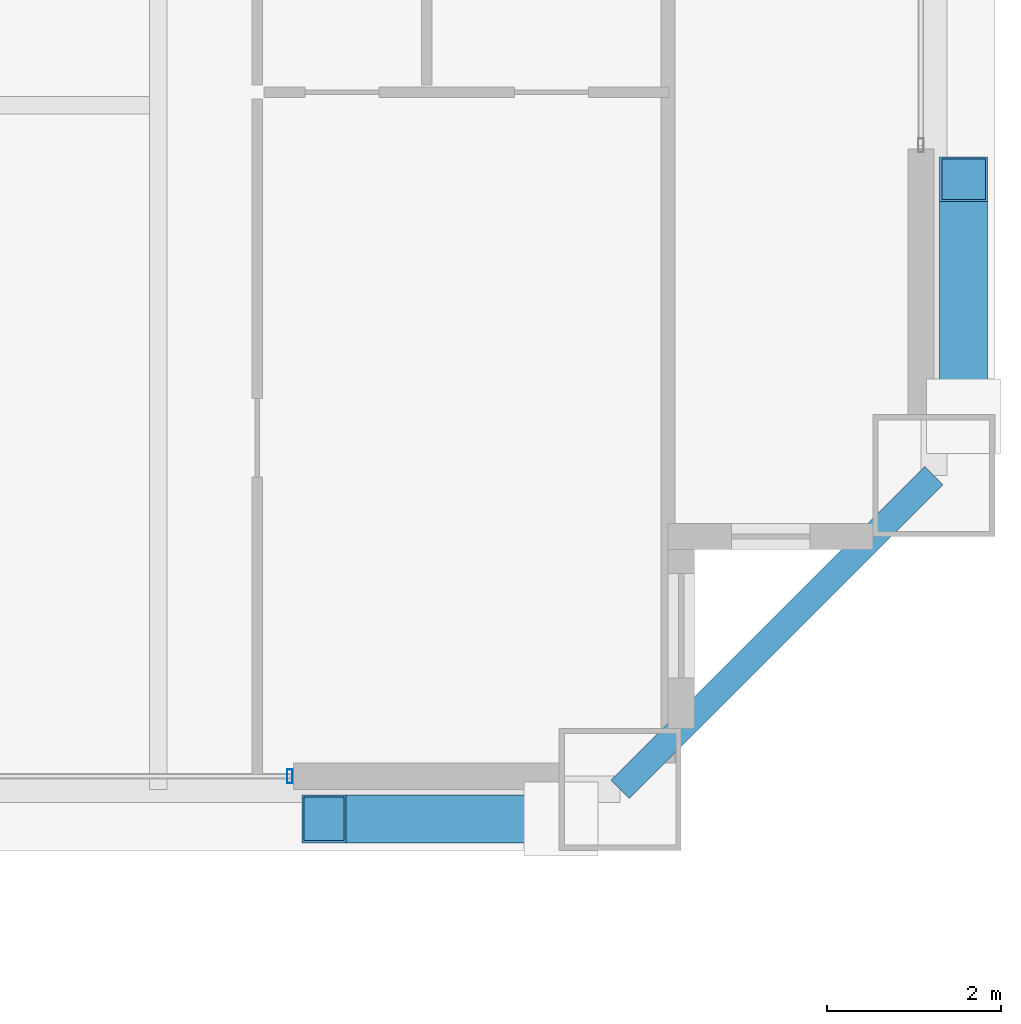
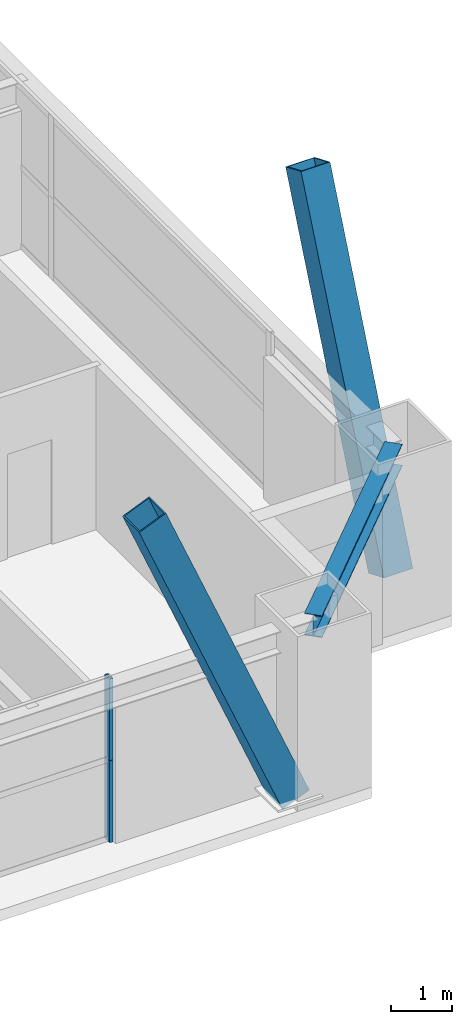
# One storey, part 20 of 45: 4 members, 1 beam, 1 element without a shape of its own.
"""IFC4 building model written with IfcOpenShell, lengths in metres."""

from ifc_helpers import new_model, si_unit, direction, frame, origin, origin_2d, place, context, subcontext, project, spatial, hollow_rectangle, i_section, extrude, source, transform, mapped, material, layer, layer_set, material_profile, profile_set, type_object, element, aggregate, save


model = new_model("IFC4")

# Units and contexts
model_context = context("Model", 3, precision=1e-05, world=origin(), true_north=direction((0.0, 1.0)))
body_context = subcontext(model_context, "Body", "Model", "MODEL_VIEW")
ifc_project = project(units=[si_unit("LENGTHUNIT", "METRE"), si_unit("AREAUNIT", "SQUARE_METRE"), si_unit("VOLUMEUNIT", "CUBIC_METRE"), si_unit("PLANEANGLEUNIT", "RADIAN"), si_unit("MASSUNIT", "GRAM", prefix="KILO"), si_unit("THERMODYNAMICTEMPERATUREUNIT", "KELVIN"), si_unit("POWERUNIT", "WATT")], contexts=[model_context])

# Site, building, storey
site_placement = place(None, origin())
site = spatial("IfcSite", under=ifc_project, at=site_placement, CompositionType="ELEMENT")
building_placement = place(site_placement, origin())
building = spatial("IfcBuilding", under=site, at=building_placement, Name="Yuzanri Waterfront Tower", CompositionType="ELEMENT")
storey_placement = place(building_placement, frame((0.0, 0.0, 198.5)))
storey = spatial("IfcBuildingStorey", under=building, at=storey_placement, Name="L52", CompositionType="ELEMENT", Elevation=198.5)

# Beam
ifc_material_1 = material(Name="Steel Q355B", Category="steel")
ifc_material_profile_1 = material_profile(ifc_material_1, i_section(OverallWidth=0.300048828125, OverallDepth=0.43994140625, WebThickness=0.010986328125, FlangeThickness=0.01806640625, at=origin_2d()), Name="HM 440x300x11x18")
ifc_profile_set_1 = profile_set([ifc_material_profile_1], Name="Steel Q355B")
beam_type = type_object("IfcBeamType", Name="Perimeter Spandrel Q355B HM 440x300", PredefinedType="SPANDREL", material=ifc_profile_set_1)
shared_shape_1 = source(origin(), body_context, "Body", "SweptSolid", [
    extrude(i_section(OverallWidth=0.300048828125, OverallDepth=0.43994140625, WebThickness=0.010986328125, FlangeThickness=0.01806640625, at=origin_2d()), origin(), (0.0, 0.0, 1.0), 5.09130859375),
])
beam_placement = place(storey_placement, frame((55.5, 3.699951171875, 3.06005859375), z_axis=(0.707106781187, 0.707106781187, 0.0), x_axis=(-0.707106781187, 0.707106781187, 0.0)))
element("IfcBeam", 1, at=beam_placement, inside=storey, type_object=beam_type, Name="L52 Perimeter Spandrel S3-E1", PredefinedType="SPANDREL", context=body_context, shape_type="MappedRepresentation", body=[
    mapped(shared_shape_1, transform((0.0, 0.0, 0.0), scale=1.0)),
])

# Members
ifc_material_2 = material(Name="Steel Q390GJC", Category="steel")
ifc_material_profile_2 = material_profile(ifc_material_2, hollow_rectangle(XDim=0.550048828125, YDim=0.550048828125, WallThickness=0.02490234375, at=origin_2d()), Name="RHS 550x550x25")
ifc_profile_set_2 = profile_set([ifc_material_profile_2], Name="Steel Q390GJC")
member_type_1 = type_object("IfcMemberType", Name="Mega Brace Mid Q390GJC RHS 550x550x25", PredefinedType="BRACE", material=ifc_profile_set_2)
shared_shape_2 = source(origin(), body_context, "Body", "SweptSolid", [
    extrude(hollow_rectangle(XDim=0.550048828125, YDim=0.550048828125, WallThickness=0.02490234375, at=origin_2d()), origin(), (0.0, 0.0, 1.0), 7.046142578125),
])
for number, where, z_axis, x_axis, name in (
    (2, (54.820068359375, 3.360107421875, 0.179931640625), (-0.386022211732, 0.0, 0.922489486146), (0.0, -1.0, 0.0), "L52-L53 Perimeter Mega-Brace S-R"),
    (3, (59.43994140625, 7.97998046875, 0.179931640625), (0.0, 0.386022211732, 0.922489486146), (-1.0, 0.0, 0.0), "L52-L53 Perimeter Mega-Brace E-L"),
):
    element("IfcMember", number, at=place(storey_placement, frame(where, z_axis=z_axis, x_axis=x_axis)), inside=storey, type_object=member_type_1, Name=name, PredefinedType="BRACE", context=body_context, shape_type="MappedRepresentation", body=[
        mapped(shared_shape_2, transform((0.0, 0.0, 0.0), scale=1.0)),
    ])

# Curtain wall, members
ifc_material_3 = material(Name="Anodized Architectural Bronze", Category="metal")
ifc_layer = layer(ifc_material_3, 0.159912109375)
ifc_layer_set = layer_set([ifc_layer], Name="Anodized Architectural Bronze")
curtain_wall_type = type_object("IfcCurtainWallType", Name="Anodized Bronze Mid-Rise Residential Acoustic Unitized Curtain Wall 7200", PredefinedType="NOTDEFINED", material=ifc_layer_set)
curtain_wall_placement = place(storey_placement, origin())
curtain_wall = element("IfcCurtainWall", 4, at=curtain_wall_placement, inside=storey, type_object=curtain_wall_type, Name="L52 Curtain Wall CW-L52-SR2", PredefinedType="NOTDEFINED")
ifc_material_4 = material(Name="Anodized Architectural Bronze", Category="metal")
ifc_material_profile_3 = material_profile(ifc_material_4, hollow_rectangle(XDim=0.06494140625, YDim=0.159912109375, WallThickness=0.00341796875, at=origin_2d()), Name="CWM 65x160")
ifc_profile_set_3 = profile_set([ifc_material_profile_3], Name="Anodized Architectural Bronze")
member_type_2 = type_object("IfcMemberType", Name="Anodized Bronze Upper-Zone Curtain-Wall Mullion 65x160", PredefinedType="MULLION", material=ifc_profile_set_3)
shared_shape_3 = source(origin(), body_context, "Body", "SweptSolid", [
    extrude(hollow_rectangle(XDim=0.06494140625, YDim=0.159912109375, WallThickness=0.00341796875, at=origin_2d()), origin(), (0.0, 0.0, 1.0), 1.637939453125),
])
member_1_placement = place(storey_placement, frame((51.7099609375, 3.85009765625, 0.0), z_axis=(0.0, 0.0, 1.0), x_axis=(1.0, 0.0, 0.0)))
member_1 = element("IfcMember", 5, at=member_1_placement, type_object=member_type_2, Name="CW-L52-SR2 Lower Mullion 02", PredefinedType="MULLION", context=body_context, shape_type="MappedRepresentation", body=[
    mapped(shared_shape_3, transform((0.0, 0.0, 0.0), scale=1.0)),
])
member_2_placement = place(storey_placement, frame((51.7099609375, 3.85009765625, 1.64208984375), z_axis=(0.0, 0.0, 1.0), x_axis=(1.0, 0.0, 0.0)))
member_2 = element("IfcMember", 6, at=member_2_placement, type_object=member_type_2, Name="CW-L52-SR2 Upper Mullion 02", PredefinedType="MULLION", context=body_context, shape_type="MappedRepresentation", body=[
    mapped(shared_shape_3, transform((0.0, 0.0, 0.0), scale=1.0)),
])
aggregate(curtain_wall, [member_1, member_2])

save(model, "model.ifc")
